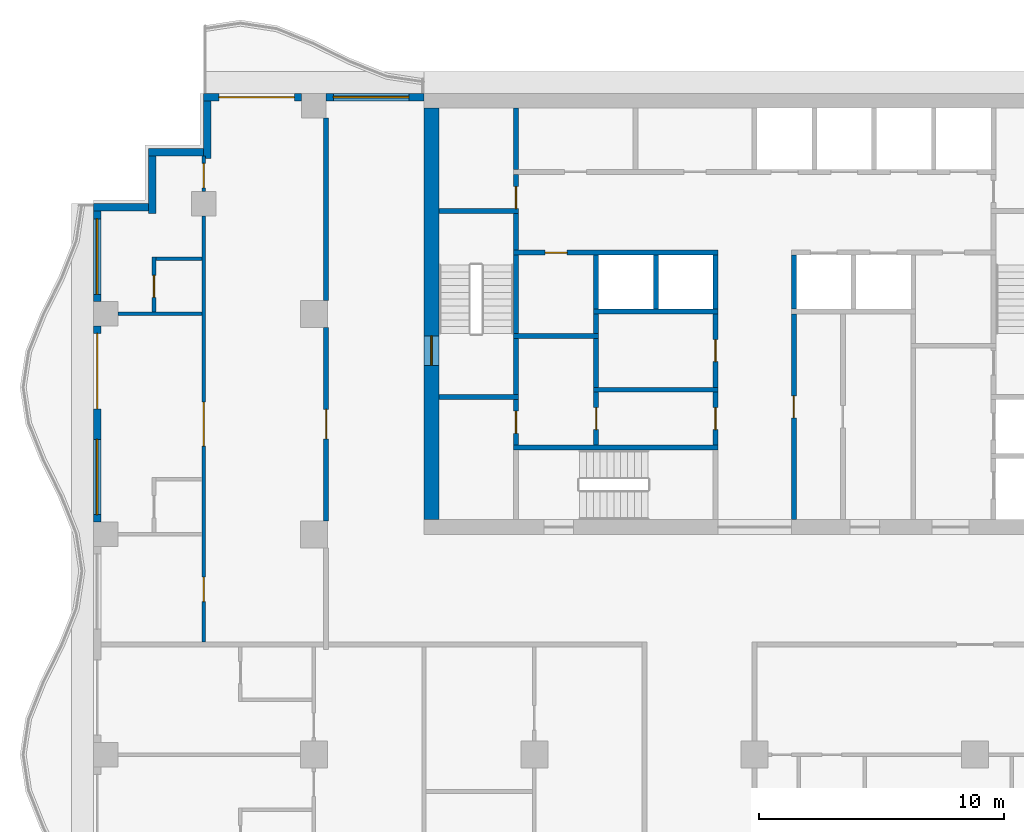
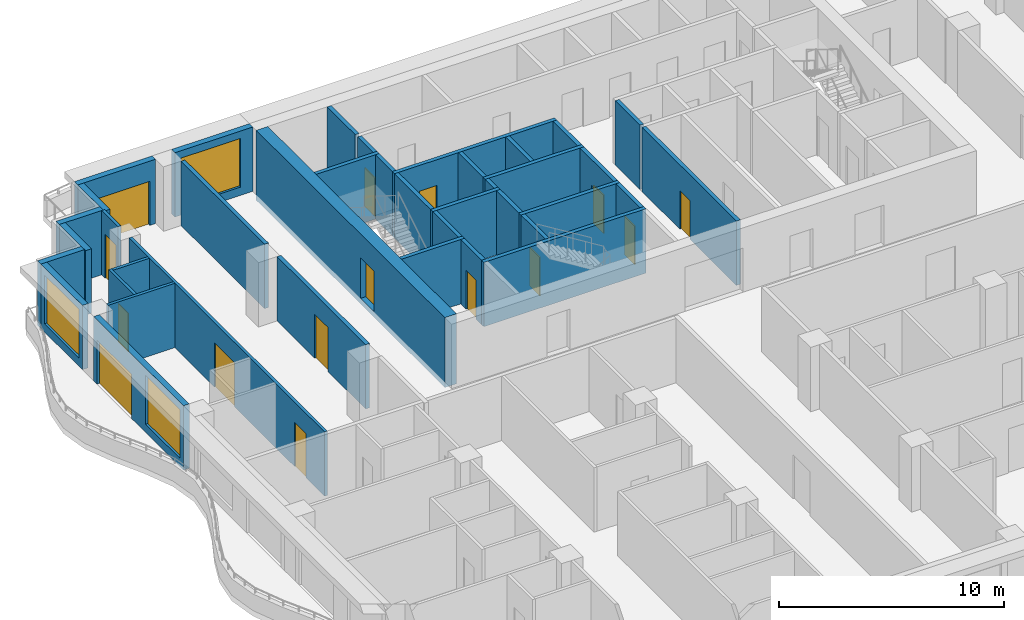
# One storey, part 5 of 12: 39 walls, 15 doors, 3 windows, 18 openings.
"""IFC4 building model written with IfcOpenShell, lengths in metres."""

from ifc_helpers import new_model, si_unit, direction, frame, frame_2d, origin, place, context, subcontext, project, spatial, rectangle, extrude, material, layer, layer_set, type_object, element, fill, save


model = new_model("IFC4")

# Units and contexts
model_context = context("Model", 3, precision=1e-05, world=origin(), true_north=direction((0.0, 1.0)))
body_context = subcontext(model_context, "Body", "Model", "MODEL_VIEW")
ifc_project = project(units=[si_unit("LENGTHUNIT", "METRE"), si_unit("AREAUNIT", "SQUARE_METRE"), si_unit("VOLUMEUNIT", "CUBIC_METRE"), si_unit("PLANEANGLEUNIT", "RADIAN"), si_unit("MASSUNIT", "GRAM", prefix="KILO")], contexts=[model_context])

# Site, building, storey
site_placement = place(None, origin())
site = spatial("IfcSite", under=ifc_project, at=site_placement, CompositionType="ELEMENT")
building_placement = place(site_placement, origin())
building = spatial("IfcBuilding", under=site, at=building_placement, Name="Orbiselva Terraces", CompositionType="ELEMENT")
storey_placement = place(building_placement, frame((0.0, 0.0, 203.4)))
storey = spatial("IfcBuildingStorey", under=building, at=storey_placement, Name="L51", CompositionType="ELEMENT", Elevation=203.4)

# Wall, opening, door
ifc_material_1 = material(Name="Concrete C80/95", Category="concrete")
ifc_layer_1 = layer(ifc_material_1, 0.6)
ifc_layer_set_1 = layer_set([ifc_layer_1], Name="Concrete C80/95")
wall_type_1 = type_object("IfcWallType", Name="CORE WALL 600", PredefinedType="SHEAR", material=ifc_layer_set_1)
wall_1_placement = place(storey_placement, frame((-13.2, 21.9, -0.3), z_axis=(0.0, 0.0, 1.0), x_axis=(0.0, -1.0, 0.0)))
wall_1 = element("IfcWall", 1, at=wall_1_placement, inside=storey, type_object=wall_type_1, Name="Core wall L51 west", PredefinedType="SHEAR", context=body_context, shape_type="SweptSolid", body=[
    extrude(rectangle(XDim=16.8, YDim=0.6, at=frame_2d((8.4, 0.0))), origin(), (0.0, 0.0, 1.0), 3.8),
])
opening_1_placement = place(wall_1_placement, frame((9.3, 0.0, 0.3)))
opening_1 = element("IfcOpeningElement", 2, at=opening_1_placement, cuts=wall_1, Name="Opening DS1200", PredefinedType="OPENING", context=body_context, shape_type="SweptSolid", body=[
    extrude(rectangle(XDim=1.2, YDim=2.2, at=frame_2d((0.6, 1.1))), frame((0.0, 0.31, 0.0), z_axis=(0.0, -1.0, 0.0), x_axis=(1.0, 0.0, 0.0)), (0.0, 0.0, 1.0), 0.62),
])
ifc_material_2 = material(Name="Steel fire door", Category="steel")
door_type_1 = type_object("IfcDoorType", Name="STAIR DOOR 1200", OperationType="NOTDEFINED", PredefinedType="DOOR", material=ifc_material_2)
door_1_placement = place(opening_1_placement, frame((1.2, 0.0, 0.0), z_axis=(0.0, 0.0, 1.0), x_axis=(-1.0, 0.0, 0.0)))
door_1 = element("IfcDoor", 3, at=door_1_placement, inside=storey, type_object=door_type_1, Name="L51 EXIT STAIR S1 door", OperationType="SINGLE_SWING_RIGHT", OverallHeight=2.2, OverallWidth=1.2, PredefinedType="DOOR", context=body_context, shape_type="SweptSolid", body=[
    extrude(rectangle(XDim=1.2, YDim=2.2, at=frame_2d((0.6, 1.1))), frame((0.0, 0.025, 0.0), z_axis=(0.0, -1.0, 0.0), x_axis=(1.0, 0.0, 0.0)), (0.0, 0.0, 1.0), 0.05),
])
fill(opening_1, door_1)

ifc_material_3 = material(Name="Masonry blockwork", Category="masonry")
ifc_layer_2 = layer(ifc_material_3, 0.2)
ifc_layer_set_2 = layer_set([ifc_layer_2], Name="Masonry blockwork")
wall_type_2 = type_object("IfcWallType", Name="CORE-WALL-PARTITION-200", PredefinedType="PARTITIONING", material=ifc_layer_set_2)
wall_2_placement = place(storey_placement, frame((-9.75, 8.15, 0.0), z_axis=(0.0, 0.0, 1.0), x_axis=(0.0, 1.0, 0.0)))
wall_2 = element("IfcWall", 4, at=wall_2_placement, inside=storey, type_object=wall_type_2, Name="L51 core wall 05", PredefinedType="PARTITIONING", context=body_context, shape_type="SweptSolid", body=[
    extrude(rectangle(XDim=1.85, YDim=0.2, at=frame_2d((0.925, 0.0))), origin(), (0.0, 0.0, 1.0), 3.5),
])
opening_2_placement = place(wall_2_placement, frame((0.475, 0.0, 0.0)))
opening_2 = element("IfcOpeningElement", 5, at=opening_2_placement, cuts=wall_2, Name="Opening DR900", PredefinedType="OPENING", context=body_context, shape_type="SweptSolid", body=[
    extrude(rectangle(XDim=0.9, YDim=2.1, at=frame_2d((0.45, 1.05))), frame((0.0, 0.11, 0.0), z_axis=(0.0, -1.0, 0.0), x_axis=(1.0, 0.0, 0.0)), (0.0, 0.0, 1.0), 0.22),
])
door_type_2 = type_object("IfcDoorType", Name="ROOM DOOR 900", OperationType="NOTDEFINED", PredefinedType="DOOR", material=ifc_material_2)
door_2_placement = place(opening_2_placement, origin())
door_2 = element("IfcDoor", 6, at=door_2_placement, inside=storey, type_object=door_type_2, Name="L51 CLEANERS STORE door", OperationType="SINGLE_SWING_RIGHT", OverallHeight=2.1, OverallWidth=0.9, PredefinedType="DOOR", context=body_context, shape_type="SweptSolid", body=[
    extrude(rectangle(XDim=0.9, YDim=2.1, at=frame_2d((0.45, 1.05))), frame((0.0, 0.025, 0.0), z_axis=(0.0, -1.0, 0.0), x_axis=(1.0, 0.0, 0.0)), (0.0, 0.0, 1.0), 0.05),
])
fill(opening_2, door_2)

wall_3_placement = place(storey_placement, frame((-9.75, 17.8, 0.0), z_axis=(0.0, 0.0, 1.0), x_axis=(0.0, 1.0, 0.0)))
wall_3 = element("IfcWall", 7, at=wall_3_placement, inside=storey, type_object=wall_type_2, Name="L51 core wall 11", PredefinedType="PARTITIONING", context=body_context, shape_type="SweptSolid", body=[
    extrude(rectangle(XDim=1.4, YDim=0.2, at=frame_2d((0.7, 0.0))), origin(), (0.0, 0.0, 1.0), 3.5),
])
opening_3_placement = place(wall_3_placement, origin())
opening_3 = element("IfcOpeningElement", 8, at=opening_3_placement, cuts=wall_3, Name="Opening DR900", PredefinedType="OPENING", context=body_context, shape_type="SweptSolid", body=[
    extrude(rectangle(XDim=0.9, YDim=2.1, at=frame_2d((0.45, 1.05))), frame((0.0, 0.11, 0.0), z_axis=(0.0, -1.0, 0.0), x_axis=(1.0, 0.0, 0.0)), (0.0, 0.0, 1.0), 0.22),
])
door_3_placement = place(opening_3_placement, origin())
door_3 = element("IfcDoor", 9, at=door_3_placement, inside=storey, type_object=door_type_2, Name="L51 ELECTRICAL RISER ROOM door", OperationType="SINGLE_SWING_LEFT", OverallHeight=2.1, OverallWidth=0.9, PredefinedType="DOOR", context=body_context, shape_type="SweptSolid", body=[
    extrude(rectangle(XDim=0.9, YDim=2.1, at=frame_2d((0.45, 1.05))), frame((0.0, 0.025, 0.0), z_axis=(0.0, -1.0, 0.0), x_axis=(1.0, 0.0, 0.0)), (0.0, 0.0, 1.0), 0.05),
])
fill(opening_3, door_3)

# Wall
wall_4_placement = place(storey_placement, frame((-9.75, 19.4, 0.0), z_axis=(0.0, 0.0, 1.0), x_axis=(0.0, 1.0, 0.0)))
element("IfcWall", 10, at=wall_4_placement, inside=storey, type_object=wall_type_2, Name="L51 core wall 13", PredefinedType="PARTITIONING", context=body_context, shape_type="SweptSolid", body=[
    extrude(rectangle(XDim=2.5, YDim=0.2, at=frame_2d((1.25, 0.0))), origin(), (0.0, 0.0, 1.0), 3.5),
])

# Wall, opening, door
wall_5_placement = place(storey_placement, frame((-6.475, 8.15, 0.0), z_axis=(0.0, 0.0, 1.0), x_axis=(0.0, 1.0, 0.0)))
wall_5 = element("IfcWall", 11, at=wall_5_placement, inside=storey, type_object=wall_type_2, Name="L51 core wall 14", PredefinedType="PARTITIONING", context=body_context, shape_type="SweptSolid", body=[
    extrude(rectangle(XDim=2.15, YDim=0.2, at=frame_2d((1.075, 0.0))), origin(), (0.0, 0.0, 1.0), 3.5),
])
opening_4_placement = place(wall_5_placement, frame((0.625, 0.0, 0.0)))
opening_4 = element("IfcOpeningElement", 12, at=opening_4_placement, cuts=wall_5, Name="Opening DR900", PredefinedType="OPENING", context=body_context, shape_type="SweptSolid", body=[
    extrude(rectangle(XDim=0.9, YDim=2.1, at=frame_2d((0.45, 1.05))), frame((0.0, 0.11, 0.0), z_axis=(0.0, -1.0, 0.0), x_axis=(1.0, 0.0, 0.0)), (0.0, 0.0, 1.0), 0.22),
])
door_4_placement = place(opening_4_placement, origin())
door_4 = element("IfcDoor", 13, at=door_4_placement, inside=storey, type_object=door_type_2, Name="L51 STAFF ROOM door", OperationType="SINGLE_SWING_LEFT", OverallHeight=2.1, OverallWidth=0.9, PredefinedType="DOOR", context=body_context, shape_type="SweptSolid", body=[
    extrude(rectangle(XDim=0.9, YDim=2.1, at=frame_2d((0.45, 1.05))), frame((0.0, 0.025, 0.0), z_axis=(0.0, -1.0, 0.0), x_axis=(1.0, 0.0, 0.0)), (0.0, 0.0, 1.0), 0.05),
])
fill(opening_4, door_4)

# Walls
wall_6_placement = place(storey_placement, frame((-6.475, 10.5, 0.0), z_axis=(0.0, 0.0, 1.0), x_axis=(0.0, 1.0, 0.0)))
element("IfcWall", 14, at=wall_6_placement, inside=storey, type_object=wall_type_2, Name="L51 core wall 16", PredefinedType="PARTITIONING", context=body_context, shape_type="SweptSolid", body=[
    extrude(rectangle(XDim=2.0, YDim=0.2, at=frame_2d((1.0, 0.0))), origin(), (0.0, 0.0, 1.0), 3.5),
])
wall_7_placement = place(storey_placement, frame((-6.475, 12.7, 0.0), z_axis=(0.0, 0.0, 1.0), x_axis=(0.0, 1.0, 0.0)))
element("IfcWall", 15, at=wall_7_placement, inside=storey, type_object=wall_type_2, Name="L51 core wall 17", PredefinedType="PARTITIONING", context=body_context, shape_type="SweptSolid", body=[
    extrude(rectangle(XDim=0.8, YDim=0.2, at=frame_2d((0.4, 0.0))), origin(), (0.0, 0.0, 1.0), 3.5),
])

# Wall, opening, door
wall_8_placement = place(storey_placement, frame((-1.6, 8.15, 0.0), z_axis=(0.0, 0.0, 1.0), x_axis=(0.0, 1.0, 0.0)))
wall_8 = element("IfcWall", 16, at=wall_8_placement, inside=storey, type_object=wall_type_2, Name="L51 core wall 23", PredefinedType="PARTITIONING", context=body_context, shape_type="SweptSolid", body=[
    extrude(rectangle(XDim=2.15, YDim=0.2, at=frame_2d((1.075, 0.0))), origin(), (0.0, 0.0, 1.0), 3.5),
])
opening_5_placement = place(wall_8_placement, frame((0.625, 0.0, 0.0)))
opening_5 = element("IfcOpeningElement", 17, at=opening_5_placement, cuts=wall_8, Name="Opening DR900", PredefinedType="OPENING", context=body_context, shape_type="SweptSolid", body=[
    extrude(rectangle(XDim=0.9, YDim=2.1, at=frame_2d((0.45, 1.05))), frame((0.0, 0.11, 0.0), z_axis=(0.0, -1.0, 0.0), x_axis=(1.0, 0.0, 0.0)), (0.0, 0.0, 1.0), 0.22),
])
door_5_placement = place(opening_5_placement, origin())
door_5 = element("IfcDoor", 18, at=door_5_placement, inside=storey, type_object=door_type_2, Name="L51 SERVICE PANTRY door", OperationType="SINGLE_SWING_LEFT", OverallHeight=2.1, OverallWidth=0.9, PredefinedType="DOOR", context=body_context, shape_type="SweptSolid", body=[
    extrude(rectangle(XDim=0.9, YDim=2.1, at=frame_2d((0.45, 1.05))), frame((0.0, 0.025, 0.0), z_axis=(0.0, -1.0, 0.0), x_axis=(1.0, 0.0, 0.0)), (0.0, 0.0, 1.0), 0.05),
])
fill(opening_5, door_5)

wall_9_placement = place(storey_placement, frame((-1.6, 10.5, 0.0), z_axis=(0.0, 0.0, 1.0), x_axis=(0.0, 1.0, 0.0)))
wall_9 = element("IfcWall", 19, at=wall_9_placement, inside=storey, type_object=wall_type_2, Name="L51 core wall 24", PredefinedType="PARTITIONING", context=body_context, shape_type="SweptSolid", body=[
    extrude(rectangle(XDim=3.0, YDim=0.2, at=frame_2d((1.5, 0.0))), origin(), (0.0, 0.0, 1.0), 3.5),
])
opening_6_placement = place(wall_9_placement, frame((1.05, 0.0, 0.0)))
opening_6 = element("IfcOpeningElement", 20, at=opening_6_placement, cuts=wall_9, Name="Opening DR900", PredefinedType="OPENING", context=body_context, shape_type="SweptSolid", body=[
    extrude(rectangle(XDim=0.9, YDim=2.1, at=frame_2d((0.45, 1.05))), frame((0.0, 0.11, 0.0), z_axis=(0.0, -1.0, 0.0), x_axis=(1.0, 0.0, 0.0)), (0.0, 0.0, 1.0), 0.22),
])
door_6_placement = place(opening_6_placement, origin())
door_6 = element("IfcDoor", 21, at=door_6_placement, inside=storey, type_object=door_type_2, Name="L51 LINEN STORE door", OperationType="SINGLE_SWING_RIGHT", OverallHeight=2.1, OverallWidth=0.9, PredefinedType="DOOR", context=body_context, shape_type="SweptSolid", body=[
    extrude(rectangle(XDim=0.9, YDim=2.1, at=frame_2d((0.45, 1.05))), frame((0.0, 0.025, 0.0), z_axis=(0.0, -1.0, 0.0), x_axis=(1.0, 0.0, 0.0)), (0.0, 0.0, 1.0), 0.05),
])
fill(opening_6, door_6)

# Walls
ifc_material_4 = material(Name="Concrete C40/50", Category="concrete")
ifc_layer_3 = layer(ifc_material_4, 0.2)
ifc_layer_set_3 = layer_set([ifc_layer_3], Name="Concrete C40/50")
wall_type_3 = type_object("IfcWallType", Name="CORE-WALL-SHAFT-200", PredefinedType="PARTITIONING", material=ifc_layer_set_3)
for number, where, z_axis, x_axis, name in (
    (22, (-6.475, 13.7, 0.0), (0.0, 0.0, 1.0), (0.0, 1.0, 0.0), "L51 core wall 19"),
    (23, (-4.0375, 13.7, 0.0), (0.0, 0.0, 1.0), (0.0, 1.0, 0.0), "L51 core wall 21"),
    (24, (-1.6, 13.7, 0.0), (0.0, 0.0, 1.0), (0.0, 1.0, 0.0), "L51 core wall 25"),
    (25, (1.6, 13.7, 0.0), (0.0, 0.0, 1.0), (0.0, 1.0, 0.0), "L51 core wall 29"),
):
    element("IfcWall", number, at=place(storey_placement, frame(where, z_axis=z_axis, x_axis=x_axis)), inside=storey, type_object=wall_type_3, Name=name, PredefinedType="PARTITIONING", context=body_context, shape_type="SweptSolid", body=[
        extrude(rectangle(XDim=2.2, YDim=0.2, at=frame_2d((1.1, 0.0))), origin(), (0.0, 0.0, 1.0), 3.5),
    ])
ifc_material_5 = material(Name="Concrete C60/75", Category="concrete")
ifc_layer_4 = layer(ifc_material_5, 0.2)
ifc_layer_set_4 = layer_set([ifc_layer_4], Name="Concrete C60/75")
wall_type_4 = type_object("IfcWallType", Name="CORE-WALL-SHEAR-200", PredefinedType="SHEAR", material=ifc_layer_set_4)
for number, where, z_axis, x_axis, name in (
    (26, (-12.9, 10.1, 0.0), (0.0, 0.0, 1.0), (1.0, 0.0, 0.0), "L51 core wall 01"),
    (27, (-12.9, 17.7, 0.0), (0.0, 0.0, 1.0), (1.0, 0.0, 0.0), "L51 core wall 02"),
):
    element("IfcWall", number, at=place(storey_placement, frame(where, z_axis=z_axis, x_axis=x_axis)), inside=storey, type_object=wall_type_4, Name=name, PredefinedType="SHEAR", context=body_context, shape_type="SweptSolid", body=[
        extrude(rectangle(XDim=3.25, YDim=0.2, at=frame_2d((1.625, 0.0))), origin(), (0.0, 0.0, 1.0), 3.5),
    ])
wall_10_placement = place(storey_placement, frame((-9.85, 8.05, 0.0), z_axis=(0.0, 0.0, 1.0), x_axis=(1.0, 0.0, 0.0)))
element("IfcWall", 28, at=wall_10_placement, inside=storey, type_object=wall_type_4, Name="L51 core wall 04", PredefinedType="SHEAR", context=body_context, shape_type="SweptSolid", body=[
    extrude(rectangle(XDim=8.35, YDim=0.2, at=frame_2d((4.175, 0.0))), origin(), (0.0, 0.0, 1.0), 3.5),
])
wall_11_placement = place(storey_placement, frame((-9.75, 10.2, 0.0), z_axis=(0.0, 0.0, 1.0), x_axis=(0.0, 1.0, 0.0)))
element("IfcWall", 29, at=wall_11_placement, inside=storey, type_object=wall_type_4, Name="L51 core wall 06", PredefinedType="SHEAR", context=body_context, shape_type="SweptSolid", body=[
    extrude(rectangle(XDim=2.3, YDim=0.2, at=frame_2d((1.15, 0.0))), origin(), (0.0, 0.0, 1.0), 3.5),
])
wall_12_placement = place(storey_placement, frame((-9.85, 12.6, 0.0), z_axis=(0.0, 0.0, 1.0), x_axis=(1.0, 0.0, 0.0)))
element("IfcWall", 30, at=wall_12_placement, inside=storey, type_object=wall_type_4, Name="L51 core wall 07", PredefinedType="SHEAR", context=body_context, shape_type="SweptSolid", body=[
    extrude(rectangle(XDim=3.475, YDim=0.2, at=frame_2d((1.7375, 0.0))), origin(), (0.0, 0.0, 1.0), 3.5),
])
wall_13_placement = place(storey_placement, frame((-9.75, 12.7, 0.0), z_axis=(0.0, 0.0, 1.0), x_axis=(0.0, 1.0, 0.0)))
element("IfcWall", 31, at=wall_13_placement, inside=storey, type_object=wall_type_4, Name="L51 core wall 08", PredefinedType="SHEAR", context=body_context, shape_type="SweptSolid", body=[
    extrude(rectangle(XDim=3.2, YDim=0.2, at=frame_2d((1.6, 0.0))), origin(), (0.0, 0.0, 1.0), 3.5),
])

# Wall, opening, door
wall_14_placement = place(storey_placement, frame((-1.5, 16.0, 0.0), z_axis=(0.0, 0.0, 1.0), x_axis=(-1.0, 0.0, 0.0)))
wall_14 = element("IfcWall", 32, at=wall_14_placement, inside=storey, type_object=wall_type_4, Name="L51 core wall 09", PredefinedType="SHEAR", context=body_context, shape_type="SweptSolid", body=[
    extrude(rectangle(XDim=8.35, YDim=0.2, at=frame_2d((4.175, 0.0))), origin(), (0.0, 0.0, 1.0), 3.5),
])
opening_7_placement = place(wall_14_placement, frame((6.1625, 0.0, 0.0)))
opening_7 = element("IfcOpeningElement", 33, at=opening_7_placement, cuts=wall_14, Name="Opening DR900", PredefinedType="OPENING", context=body_context, shape_type="SweptSolid", body=[
    extrude(rectangle(XDim=0.9, YDim=2.1, at=frame_2d((0.45, 1.05))), frame((0.0, 0.11, 0.0), z_axis=(0.0, -1.0, 0.0), x_axis=(1.0, 0.0, 0.0)), (0.0, 0.0, 1.0), 0.22),
])
door_7_placement = place(opening_7_placement, origin())
door_7 = element("IfcDoor", 34, at=door_7_placement, inside=storey, type_object=door_type_2, Name="L51 IT ROOM door", OperationType="SINGLE_SWING_RIGHT", OverallHeight=2.1, OverallWidth=0.9, PredefinedType="DOOR", context=body_context, shape_type="SweptSolid", body=[
    extrude(rectangle(XDim=0.9, YDim=2.1, at=frame_2d((0.45, 1.05))), frame((0.0, 0.025, 0.0), z_axis=(0.0, -1.0, 0.0), x_axis=(1.0, 0.0, 0.0)), (0.0, 0.0, 1.0), 0.05),
])
fill(opening_7, door_7)

# Walls
wall_15_placement = place(storey_placement, frame((-9.75, 16.1, 0.0), z_axis=(0.0, 0.0, 1.0), x_axis=(0.0, 1.0, 0.0)))
element("IfcWall", 35, at=wall_15_placement, inside=storey, type_object=wall_type_4, Name="L51 core wall 10", PredefinedType="SHEAR", context=body_context, shape_type="SweptSolid", body=[
    extrude(rectangle(XDim=1.5, YDim=0.2, at=frame_2d((0.75, 0.0))), origin(), (0.0, 0.0, 1.0), 3.5),
])
for number, where, z_axis, x_axis, name in (
    (36, (-6.575, 10.4, 0.0), (0.0, 0.0, 1.0), (1.0, 0.0, 0.0), "L51 core wall 15"),
    (37, (-6.575, 13.6, 0.0), (0.0, 0.0, 1.0), (1.0, 0.0, 0.0), "L51 core wall 18"),
):
    element("IfcWall", number, at=place(storey_placement, frame(where, z_axis=z_axis, x_axis=x_axis)), inside=storey, type_object=wall_type_4, Name=name, PredefinedType="SHEAR", context=body_context, shape_type="SweptSolid", body=[
        extrude(rectangle(XDim=5.075, YDim=0.2, at=frame_2d((2.5375, 0.0))), origin(), (0.0, 0.0, 1.0), 3.5),
    ])

# Wall, opening, door
wall_16_placement = place(storey_placement, frame((1.6, 13.5, 0.0), z_axis=(0.0, 0.0, 1.0), x_axis=(0.0, -1.0, 0.0)))
wall_16 = element("IfcWall", 38, at=wall_16_placement, inside=storey, type_object=wall_type_4, Name="L51 core wall 27", PredefinedType="SHEAR", context=body_context, shape_type="SweptSolid", body=[
    extrude(rectangle(XDim=8.4, YDim=0.2, at=frame_2d((4.2, 0.0))), origin(), (0.0, 0.0, 1.0), 3.5),
])
opening_8_placement = place(wall_16_placement, frame((3.35, 0.0, 0.0)))
opening_8 = element("IfcOpeningElement", 39, at=opening_8_placement, cuts=wall_16, Name="Opening DR900", PredefinedType="OPENING", context=body_context, shape_type="SweptSolid", body=[
    extrude(rectangle(XDim=0.9, YDim=2.1, at=frame_2d((0.45, 1.05))), frame((0.0, 0.11, 0.0), z_axis=(0.0, -1.0, 0.0), x_axis=(1.0, 0.0, 0.0)), (0.0, 0.0, 1.0), 0.22),
])
door_8_placement = place(opening_8_placement, origin())
door_8 = element("IfcDoor", 40, at=door_8_placement, inside=storey, type_object=door_type_2, Name="L51 COMMS ROOM door", OperationType="SINGLE_SWING_LEFT", OverallHeight=2.1, OverallWidth=0.9, PredefinedType="DOOR", context=body_context, shape_type="SweptSolid", body=[
    extrude(rectangle(XDim=0.9, YDim=2.1, at=frame_2d((0.45, 1.05))), frame((0.0, 0.025, 0.0), z_axis=(0.0, -1.0, 0.0), x_axis=(1.0, 0.0, 0.0)), (0.0, 0.0, 1.0), 0.05),
])
fill(opening_8, door_8)

# Wall, opening, window
ifc_material_6 = material(Name="Terracotta cladding on masonry backing", Category="masonry")
ifc_layer_5 = layer(ifc_material_6, 0.3)
ifc_layer_set_5 = layer_set([ifc_layer_5], Name="Terracotta cladding on masonry backing")
wall_type_5 = type_object("IfcWallType", Name="ENV-WALL-TERRACOTTA-300", PredefinedType="SOLIDWALL", material=ifc_layer_set_5)
wall_17_placement = place(storey_placement, frame((-17.5, 22.35, 0.0), z_axis=(0.0, 0.0, 1.0), x_axis=(1.0, 0.0, 0.0)))
wall_17 = element("IfcWall", 41, at=wall_17_placement, inside=storey, type_object=wall_type_5, Name="Facade wall L51 NW", PredefinedType="SOLIDWALL", context=body_context, shape_type="SweptSolid", body=[
    extrude(rectangle(XDim=4.0, YDim=0.3, at=frame_2d((2.0, 0.0))), origin(), (0.0, 0.0, 1.0), 3.5),
])
opening_9_placement = place(wall_17_placement, frame((0.3, 0.0, 0.45)))
opening_9 = element("IfcOpeningElement", 42, at=opening_9_placement, cuts=wall_17, Name="Opening WN15", PredefinedType="OPENING", context=body_context, shape_type="SweptSolid", body=[
    extrude(rectangle(XDim=3.075, YDim=2.65, at=frame_2d((1.5375, 1.325))), frame((0.0, 0.16, 0.0), z_axis=(0.0, -1.0, 0.0), x_axis=(1.0, 0.0, 0.0)), (0.0, 0.0, 1.0), 0.32),
])
ifc_material_7 = material(Name="Clear low-e glazing in aluminium frame", Category="aluminium")
window_type = type_object("IfcWindowType", Name="WINDOW 3075 X 2650 S450", PartitioningType="TRIPLE_PANEL_VERTICAL", PredefinedType="WINDOW", material=ifc_material_7)
window_1_placement = place(opening_9_placement, origin())
window_1 = element("IfcWindow", 43, at=window_1_placement, inside=storey, type_object=window_type, Name="Window L51 NW", OverallHeight=2.65, OverallWidth=3.075, PartitioningType="SINGLE_PANEL", PredefinedType="WINDOW", context=body_context, shape_type="SweptSolid", body=[
    extrude(rectangle(XDim=3.075, YDim=2.65, at=frame_2d((1.5375, 1.325))), frame((0.0, 0.03, 0.0), z_axis=(0.0, -1.0, 0.0), x_axis=(1.0, 0.0, 0.0)), (0.0, 0.0, 1.0), 0.06),
])
fill(opening_9, window_1)

# Wall, opening, door
wall_18_placement = place(storey_placement, frame((-22.5, 22.35, 0.0), z_axis=(0.0, 0.0, 1.0), x_axis=(1.0, 0.0, 0.0)))
wall_18 = element("IfcWall", 44, at=wall_18_placement, inside=storey, type_object=wall_type_5, Name="Facade wall L51 NW", PredefinedType="SOLIDWALL", context=body_context, shape_type="SweptSolid", body=[
    extrude(rectangle(XDim=4.0, YDim=0.3, at=frame_2d((2.0, 0.0))), origin(), (0.0, 0.0, 1.0), 3.5),
])
opening_10_placement = place(wall_18_placement, frame((0.625, 0.0, 0.0)))
opening_10 = element("IfcOpeningElement", 45, at=opening_10_placement, cuts=wall_18, Name="Opening Z4-B-E18", PredefinedType="OPENING", context=body_context, shape_type="SweptSolid", body=[
    extrude(rectangle(XDim=3.075, YDim=2.4, at=frame_2d((1.5375, 1.2))), frame((0.0, 0.16, 0.0), z_axis=(0.0, -1.0, 0.0), x_axis=(1.0, 0.0, 0.0)), (0.0, 0.0, 1.0), 0.32),
])
door_type_3 = type_object("IfcDoorType", Name="BALCONY DOOR 3075 X 2400", OperationType="DOUBLE_DOOR_SLIDING", PredefinedType="DOOR", material=ifc_material_7)
door_9_placement = place(opening_10_placement, origin())
door_9 = element("IfcDoor", 46, at=door_9_placement, inside=storey, type_object=door_type_3, Name="Z4-B-E18", OperationType="SINGLE_SWING_LEFT", OverallHeight=2.4, OverallWidth=3.075, PredefinedType="DOOR", context=body_context, shape_type="SweptSolid", body=[
    extrude(rectangle(XDim=3.075, YDim=2.4, at=frame_2d((1.5375, 1.2))), frame((0.0, 0.025, 0.0), z_axis=(0.0, -1.0, 0.0), x_axis=(1.0, 0.0, 0.0)), (0.0, 0.0, 1.0), 0.05),
])
fill(opening_10, door_9)

# Walls
wall_19_placement = place(storey_placement, frame((-22.35, 19.85, 0.0), z_axis=(0.0, 0.0, 1.0), x_axis=(0.0, 1.0, 0.0)))
element("IfcWall", 47, at=wall_19_placement, inside=storey, type_object=wall_type_5, Name="Facade wall L51 STEP", PredefinedType="SOLIDWALL", context=body_context, shape_type="SweptSolid", body=[
    extrude(rectangle(XDim=2.35, YDim=0.3, at=frame_2d((1.175, 0.0))), origin(), (0.0, 0.0, 1.0), 3.5),
])
wall_20_placement = place(storey_placement, frame((-24.75, 20.1, 0.0), z_axis=(0.0, 0.0, 1.0), x_axis=(1.0, 0.0, 0.0)))
element("IfcWall", 48, at=wall_20_placement, inside=storey, type_object=wall_type_5, Name="Facade wall L51 STEP", PredefinedType="SOLIDWALL", context=body_context, shape_type="SweptSolid", body=[
    extrude(rectangle(XDim=2.25, YDim=0.3, at=frame_2d((1.125, 0.0))), origin(), (0.0, 0.0, 1.0), 3.5),
])
wall_21_placement = place(storey_placement, frame((-24.6, 17.6, 0.0), z_axis=(0.0, 0.0, 1.0), x_axis=(0.0, 1.0, 0.0)))
element("IfcWall", 49, at=wall_21_placement, inside=storey, type_object=wall_type_5, Name="Facade wall L51 STEP", PredefinedType="SOLIDWALL", context=body_context, shape_type="SweptSolid", body=[
    extrude(rectangle(XDim=2.35, YDim=0.3, at=frame_2d((1.175, 0.0))), origin(), (0.0, 0.0, 1.0), 3.5),
])
wall_22_placement = place(storey_placement, frame((-27.0, 17.85, 0.0), z_axis=(0.0, 0.0, 1.0), x_axis=(1.0, 0.0, 0.0)))
element("IfcWall", 50, at=wall_22_placement, inside=storey, type_object=wall_type_5, Name="Facade wall L51 STEP", PredefinedType="SOLIDWALL", context=body_context, shape_type="SweptSolid", body=[
    extrude(rectangle(XDim=2.25, YDim=0.3, at=frame_2d((1.125, 0.0))), origin(), (0.0, 0.0, 1.0), 3.5),
])

# Wall, opening, window
wall_23_placement = place(storey_placement, frame((-26.85, 14.0, 0.0), z_axis=(0.0, 0.0, 1.0), x_axis=(0.0, 1.0, 0.0)))
wall_23 = element("IfcWall", 51, at=wall_23_placement, inside=storey, type_object=wall_type_5, Name="Facade wall L51 W", PredefinedType="SOLIDWALL", context=body_context, shape_type="SweptSolid", body=[
    extrude(rectangle(XDim=3.7, YDim=0.3, at=frame_2d((1.85, 0.0))), origin(), (0.0, 0.0, 1.0), 3.5),
])
opening_11_placement = place(wall_23_placement, frame((0.3, 0.0, 0.45)))
opening_11 = element("IfcOpeningElement", 52, at=opening_11_placement, cuts=wall_23, Name="Opening WN15", PredefinedType="OPENING", context=body_context, shape_type="SweptSolid", body=[
    extrude(rectangle(XDim=3.075, YDim=2.65, at=frame_2d((1.5375, 1.325))), frame((0.0, 0.16, 0.0), z_axis=(0.0, -1.0, 0.0), x_axis=(1.0, 0.0, 0.0)), (0.0, 0.0, 1.0), 0.32),
])
window_2_placement = place(opening_11_placement, origin())
window_2 = element("IfcWindow", 53, at=window_2_placement, inside=storey, type_object=window_type, Name="Window L51 W", OverallHeight=2.65, OverallWidth=3.075, PartitioningType="SINGLE_PANEL", PredefinedType="WINDOW", context=body_context, shape_type="SweptSolid", body=[
    extrude(rectangle(XDim=3.075, YDim=2.65, at=frame_2d((1.5375, 1.325))), frame((0.0, 0.03, 0.0), z_axis=(0.0, -1.0, 0.0), x_axis=(1.0, 0.0, 0.0)), (0.0, 0.0, 1.0), 0.06),
])
fill(opening_11, window_2)

# Wall, openings, door, window
wall_24_placement = place(storey_placement, frame((-26.85, 5.0, 0.0), z_axis=(0.0, 0.0, 1.0), x_axis=(0.0, 1.0, 0.0)))
wall_24 = element("IfcWall", 54, at=wall_24_placement, inside=storey, type_object=wall_type_5, Name="Facade wall L51 W", PredefinedType="SOLIDWALL", context=body_context, shape_type="SweptSolid", body=[
    extrude(rectangle(XDim=8.0, YDim=0.3, at=frame_2d((4.0, 0.0))), origin(), (0.0, 0.0, 1.0), 3.5),
])
opening_12_placement = place(wall_24_placement, frame((4.625, 0.0, 0.0)))
opening_12 = element("IfcOpeningElement", 55, at=opening_12_placement, cuts=wall_24, Name="Opening Z4-B-E19", PredefinedType="OPENING", context=body_context, shape_type="SweptSolid", body=[
    extrude(rectangle(XDim=3.075, YDim=2.4, at=frame_2d((1.5375, 1.2))), frame((0.0, 0.16, 0.0), z_axis=(0.0, -1.0, 0.0), x_axis=(1.0, 0.0, 0.0)), (0.0, 0.0, 1.0), 0.32),
])
opening_13_placement = place(wall_24_placement, frame((0.3, 0.0, 0.45)))
opening_13 = element("IfcOpeningElement", 56, at=opening_13_placement, cuts=wall_24, Name="Opening WN15", PredefinedType="OPENING", context=body_context, shape_type="SweptSolid", body=[
    extrude(rectangle(XDim=3.075, YDim=2.65, at=frame_2d((1.5375, 1.325))), frame((0.0, 0.16, 0.0), z_axis=(0.0, -1.0, 0.0), x_axis=(1.0, 0.0, 0.0)), (0.0, 0.0, 1.0), 0.32),
])
door_10_placement = place(opening_12_placement, origin())
door_10 = element("IfcDoor", 57, at=door_10_placement, inside=storey, type_object=door_type_3, Name="Z4-B-E19", OperationType="SINGLE_SWING_LEFT", OverallHeight=2.4, OverallWidth=3.075, PredefinedType="DOOR", context=body_context, shape_type="SweptSolid", body=[
    extrude(rectangle(XDim=3.075, YDim=2.4, at=frame_2d((1.5375, 1.2))), frame((0.0, 0.025, 0.0), z_axis=(0.0, -1.0, 0.0), x_axis=(1.0, 0.0, 0.0)), (0.0, 0.0, 1.0), 0.05),
])
fill(opening_12, door_10)
window_3_placement = place(opening_13_placement, origin())
window_3 = element("IfcWindow", 58, at=window_3_placement, inside=storey, type_object=window_type, Name="Window L51 W", OverallHeight=2.65, OverallWidth=3.075, PartitioningType="SINGLE_PANEL", PredefinedType="WINDOW", context=body_context, shape_type="SweptSolid", body=[
    extrude(rectangle(XDim=3.075, YDim=2.65, at=frame_2d((1.5375, 1.325))), frame((0.0, 0.03, 0.0), z_axis=(0.0, -1.0, 0.0), x_axis=(1.0, 0.0, 0.0)), (0.0, 0.0, 1.0), 0.06),
])
fill(opening_13, window_3)

# Wall, opening, door
ifc_material_8 = material(Name="Plasterboard on steel stud partition", Category="steel")
ifc_layer_6 = layer(ifc_material_8, 0.2)
ifc_layer_set_6 = layer_set([ifc_layer_6], Name="Plasterboard on steel stud partition")
wall_type_6 = type_object("IfcWallType", Name="UNIT-ENTRANCE-WALL-200", PredefinedType="PARTITIONING", material=ifc_layer_set_6)
wall_25_placement = place(storey_placement, frame((-17.5, 5.05, 0.0), z_axis=(0.0, 0.0, 1.0), x_axis=(0.0, 1.0, 0.0)))
wall_25 = element("IfcWall", 59, at=wall_25_placement, inside=storey, type_object=wall_type_6, Name="PARTITION L51-053", PredefinedType="PARTITIONING", context=body_context, shape_type="SweptSolid", body=[
    extrude(rectangle(XDim=7.9, YDim=0.2, at=frame_2d((3.95, 0.0))), origin(), (0.0, 0.0, 1.0), 3.5),
])
opening_14_placement = place(wall_25_placement, frame((3.35, 0.0, 0.0)))
opening_14 = element("IfcOpeningElement", 60, at=opening_14_placement, cuts=wall_25, Name="Opening Z4-B-02", PredefinedType="OPENING", context=body_context, shape_type="SweptSolid", body=[
    extrude(rectangle(XDim=1.2, YDim=2.4, at=frame_2d((0.6, 1.2))), frame((0.0, 0.11, 0.0), z_axis=(0.0, -1.0, 0.0), x_axis=(1.0, 0.0, 0.0)), (0.0, 0.0, 1.0), 0.22),
])
ifc_material_9 = material(Name="Painted timber door leaf", Category="wood")
door_type_4 = type_object("IfcDoorType", Name="ENTRANCE DOOR 1200", OperationType="NOTDEFINED", PredefinedType="DOOR", material=ifc_material_9)
door_11_placement = place(opening_14_placement, origin())
door_11 = element("IfcDoor", 61, at=door_11_placement, inside=storey, type_object=door_type_4, Name="Z4-B-02", OperationType="SINGLE_SWING_RIGHT", OverallHeight=2.4, OverallWidth=1.2, PredefinedType="DOOR", context=body_context, shape_type="SweptSolid", body=[
    extrude(rectangle(XDim=1.2, YDim=2.4, at=frame_2d((0.6, 1.2))), frame((0.0, 0.025, 0.0), z_axis=(0.0, -1.0, 0.0), x_axis=(1.0, 0.0, 0.0)), (0.0, 0.0, 1.0), 0.05),
])
fill(opening_14, door_11)

# Walls
wall_26_placement = place(storey_placement, frame((-17.5, 14.05, 0.0), z_axis=(0.0, 0.0, 1.0), x_axis=(0.0, 1.0, 0.0)))
element("IfcWall", 62, at=wall_26_placement, inside=storey, type_object=wall_type_6, Name="PARTITION L51-054", PredefinedType="PARTITIONING", context=body_context, shape_type="SweptSolid", body=[
    extrude(rectangle(XDim=7.45, YDim=0.2, at=frame_2d((3.725, 0.0))), origin(), (0.0, 0.0, 1.0), 3.5),
])
ifc_layer_7 = layer(ifc_material_8, 0.15)
ifc_layer_set_7 = layer_set([ifc_layer_7], Name="Plasterboard on steel stud partition")
wall_type_7 = type_object("IfcWallType", Name="UNIT-PARTITION-150", PredefinedType="PARTITIONING", material=ifc_layer_set_7)
wall_27_placement = place(storey_placement, frame((-26.0, 13.5, 0.0), z_axis=(0.0, 0.0, 1.0), x_axis=(1.0, 0.0, 0.0)))
element("IfcWall", 63, at=wall_27_placement, inside=storey, type_object=wall_type_7, Name="PARTITION L51-037", PredefinedType="PARTITIONING", context=body_context, shape_type="SweptSolid", body=[
    extrude(rectangle(XDim=3.425, YDim=0.15, at=frame_2d((1.7125, 0.0))), origin(), (0.0, 0.0, 1.0), 3.5),
])
wall_28_placement = place(storey_placement, frame((-24.45, 15.75, 0.0), z_axis=(0.0, 0.0, 1.0), x_axis=(1.0, 0.0, 0.0)))
element("IfcWall", 64, at=wall_28_placement, inside=storey, type_object=wall_type_7, Name="PARTITION L51-039", PredefinedType="PARTITIONING", context=body_context, shape_type="SweptSolid", body=[
    extrude(rectangle(XDim=1.875, YDim=0.15, at=frame_2d((0.9375, 0.0))), origin(), (0.0, 0.0, 1.0), 3.5),
])

# Wall, opening, door
wall_29_placement = place(storey_placement, frame((-24.525, 15.825, 0.0), z_axis=(0.0, 0.0, 1.0), x_axis=(0.0, -1.0, 0.0)))
wall_29 = element("IfcWall", 65, at=wall_29_placement, inside=storey, type_object=wall_type_7, Name="PARTITION L51-043", PredefinedType="PARTITIONING", context=body_context, shape_type="SweptSolid", body=[
    extrude(rectangle(XDim=2.25, YDim=0.15, at=frame_2d((1.125, 0.0))), origin(), (0.0, 0.0, 1.0), 3.5),
])
opening_15_placement = place(wall_29_placement, frame((0.75, 0.0, 0.0)))
opening_15 = element("IfcOpeningElement", 66, at=opening_15_placement, cuts=wall_29, Name="Opening Z4-B-07", PredefinedType="OPENING", context=body_context, shape_type="SweptSolid", body=[
    extrude(rectangle(XDim=0.9, YDim=2.1, at=frame_2d((0.45, 1.05))), frame((0.0, 0.085, 0.0), z_axis=(0.0, -1.0, 0.0), x_axis=(1.0, 0.0, 0.0)), (0.0, 0.0, 1.0), 0.17),
])
door_type_5 = type_object("IfcDoorType", Name="BATH DOOR 900", OperationType="NOTDEFINED", PredefinedType="DOOR", material=ifc_material_9)
door_12_placement = place(opening_15_placement, origin())
door_12 = element("IfcDoor", 67, at=door_12_placement, inside=storey, type_object=door_type_5, Name="Z4-B-07", OperationType="SINGLE_SWING_RIGHT", OverallHeight=2.1, OverallWidth=0.9, PredefinedType="DOOR", context=body_context, shape_type="SweptSolid", body=[
    extrude(rectangle(XDim=0.9, YDim=2.1, at=frame_2d((0.45, 1.05))), frame((0.0, 0.025, 0.0), z_axis=(0.0, -1.0, 0.0), x_axis=(1.0, 0.0, 0.0)), (0.0, 0.0, 1.0), 0.05),
])
fill(opening_15, door_12)

# Wall, openings, doors
wall_30_placement = place(storey_placement, frame((-22.5, 0.1, 0.0), z_axis=(0.0, 0.0, 1.0), x_axis=(0.0, 1.0, 0.0)))
wall_30 = element("IfcWall", 68, at=wall_30_placement, inside=storey, type_object=wall_type_7, Name="PARTITION L51-044", PredefinedType="PARTITIONING", context=body_context, shape_type="SweptSolid", body=[
    extrude(rectangle(XDim=17.4, YDim=0.15, at=frame_2d((8.7, 0.0))), origin(), (0.0, 0.0, 1.0), 3.5),
])
opening_16_placement = place(wall_30_placement, frame((1.65, 0.0, 0.0)))
opening_16 = element("IfcOpeningElement", 69, at=opening_16_placement, cuts=wall_30, Name="Opening Z4-B-03", PredefinedType="OPENING", context=body_context, shape_type="SweptSolid", body=[
    extrude(rectangle(XDim=1.0, YDim=2.4, at=frame_2d((0.5, 1.2))), frame((0.0, 0.085, 0.0), z_axis=(0.0, -1.0, 0.0), x_axis=(1.0, 0.0, 0.0)), (0.0, 0.0, 1.0), 0.17),
])
opening_17_placement = place(wall_30_placement, frame((8.0, 0.0, 0.0)))
opening_17 = element("IfcOpeningElement", 70, at=opening_17_placement, cuts=wall_30, Name="Opening Z4-B-04", PredefinedType="OPENING", context=body_context, shape_type="SweptSolid", body=[
    extrude(rectangle(XDim=1.8, YDim=2.4, at=frame_2d((0.9, 1.2))), frame((0.0, 0.085, 0.0), z_axis=(0.0, -1.0, 0.0), x_axis=(1.0, 0.0, 0.0)), (0.0, 0.0, 1.0), 0.17),
])
door_type_6 = type_object("IfcDoorType", Name="DOUBLE DOOR 1800", OperationType="NOTDEFINED", PredefinedType="DOOR", material=ifc_material_9)
door_13_placement = place(opening_17_placement, origin())
door_13 = element("IfcDoor", 71, at=door_13_placement, inside=storey, type_object=door_type_6, Name="Z4-B-04", OperationType="DOUBLE_DOOR_SINGLE_SWING", OverallHeight=2.4, OverallWidth=1.8, PredefinedType="DOOR", context=body_context, shape_type="SweptSolid", body=[
    extrude(rectangle(XDim=1.8, YDim=2.4, at=frame_2d((0.9, 1.2))), frame((0.0, 0.025, 0.0), z_axis=(0.0, -1.0, 0.0), x_axis=(1.0, 0.0, 0.0)), (0.0, 0.0, 1.0), 0.05),
])
fill(opening_17, door_13)
door_type_7 = type_object("IfcDoorType", Name="ROOM DOOR 1000", OperationType="NOTDEFINED", PredefinedType="DOOR", material=ifc_material_9)
door_14_placement = place(opening_16_placement, origin())
door_14 = element("IfcDoor", 72, at=door_14_placement, inside=storey, type_object=door_type_7, Name="Z4-B-03", OperationType="SINGLE_SWING_LEFT", OverallHeight=2.4, OverallWidth=1.0, PredefinedType="DOOR", context=body_context, shape_type="SweptSolid", body=[
    extrude(rectangle(XDim=1.0, YDim=2.4, at=frame_2d((0.5, 1.2))), frame((0.0, 0.025, 0.0), z_axis=(0.0, -1.0, 0.0), x_axis=(1.0, 0.0, 0.0)), (0.0, 0.0, 1.0), 0.05),
])
fill(opening_16, door_14)

# Wall, opening, door
wall_31_placement = place(storey_placement, frame((-22.5, 18.5, 0.0), z_axis=(0.0, 0.0, 1.0), x_axis=(0.0, 1.0, 0.0)))
wall_31 = element("IfcWall", 73, at=wall_31_placement, inside=storey, type_object=wall_type_7, Name="PARTITION L51-045", PredefinedType="PARTITIONING", context=body_context, shape_type="SweptSolid", body=[
    extrude(rectangle(XDim=1.45, YDim=0.15, at=frame_2d((0.725, 0.0))), origin(), (0.0, 0.0, 1.0), 3.5),
])
opening_18_placement = place(wall_31_placement, frame((0.15, 0.0, 0.0)))
opening_18 = element("IfcOpeningElement", 74, at=opening_18_placement, cuts=wall_31, Name="Opening Z4-B-06", PredefinedType="OPENING", context=body_context, shape_type="SweptSolid", body=[
    extrude(rectangle(XDim=1.0, YDim=2.4, at=frame_2d((0.5, 1.2))), frame((0.0, 0.085, 0.0), z_axis=(0.0, -1.0, 0.0), x_axis=(1.0, 0.0, 0.0)), (0.0, 0.0, 1.0), 0.17),
])
door_15_placement = place(opening_18_placement, origin())
door_15 = element("IfcDoor", 75, at=door_15_placement, inside=storey, type_object=door_type_7, Name="Z4-B-06", OperationType="SINGLE_SWING_LEFT", OverallHeight=2.4, OverallWidth=1.0, PredefinedType="DOOR", context=body_context, shape_type="SweptSolid", body=[
    extrude(rectangle(XDim=1.0, YDim=2.4, at=frame_2d((0.5, 1.2))), frame((0.0, 0.025, 0.0), z_axis=(0.0, -1.0, 0.0), x_axis=(1.0, 0.0, 0.0)), (0.0, 0.0, 1.0), 0.05),
])
fill(opening_18, door_15)

save(model, "model.ifc")
